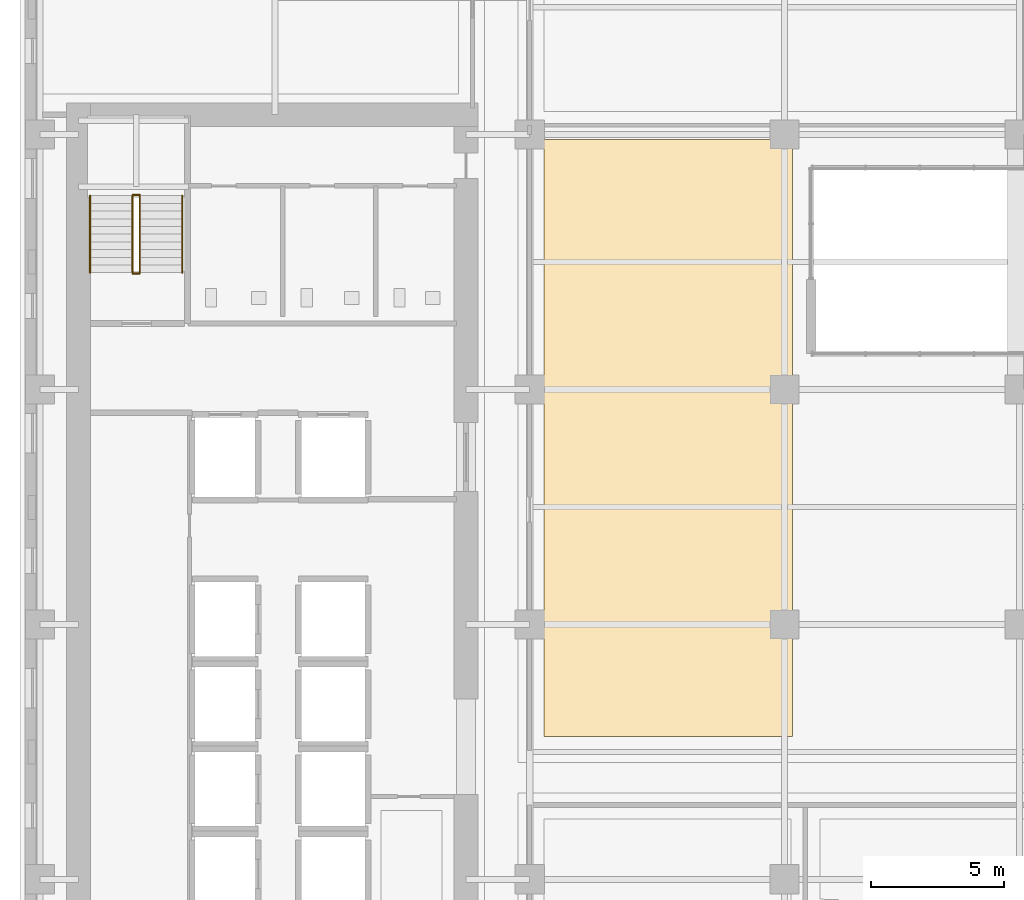
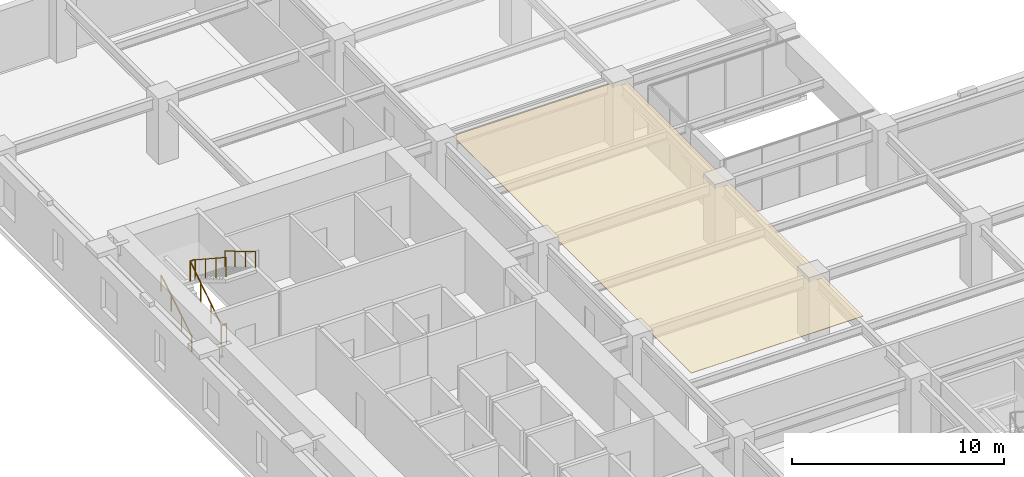
# One storey, part 12 of 14: 6 railings, 1 covering.
"""IFC4 building model written with IfcOpenShell, lengths in metres."""

import ifcopenshell
import ifcopenshell.guid

model = None  # the IFC model being written
_history = None  # IfcOwnerHistory: only IFC2X3 demands one
_inside = {}  # id of a spatial element -> (the spatial element, [elements in it])
_under = {}  # id of a project, library or spatial element -> (it, [spatial elements below it])
_declared = {}  # id of a project -> (the project, [libraries it declares])
_typed = {}  # id of a type object -> (the type object, [elements of that type])
_made_of = {}  # id of a material, layer set ... -> (it, [elements and type objects made of it])


def new_model(schema):
    """Start an empty IFC model of exactly this schema.

    Asked for "IFC4X3", IfcOpenShell would pick the latest addendum, in which some entities
    have other attributes; the version numbers below select the first issue.
    IFC2X3 requires an IfcOwnerHistory on every rooted entity: one is made here for all.
    """
    global model, _history
    if schema == "IFC4X3":
        model = ifcopenshell.file(schema_version=(4, 3, 0, 0))
    else:
        model = ifcopenshell.file(schema=schema)
    _inside.clear()
    _under.clear()
    _declared.clear()
    _typed.clear()
    _made_of.clear()
    _history = None
    if model.schema == "IFC2X3":
        org = make("IfcOrganization", Name="unknown")
        user = make(
            "IfcPersonAndOrganization",
            ThePerson=make("IfcPerson", FamilyName="unknown"),
            TheOrganization=org,
        )
        app = make(
            "IfcApplication",
            ApplicationDeveloper=org,
            Version="unknown",
            ApplicationFullName="unknown",
            ApplicationIdentifier="unknown",
        )
        _history = make(
            "IfcOwnerHistory",
            OwningUser=user,
            OwningApplication=app,
            ChangeAction="ADDED",
            CreationDate=0,
        )
    return model


def make(cls, **values):
    """One entity of the class cls with the attributes given. An attribute that is None is left unset."""
    return model.create_entity(
        cls, **{name: value for name, value in values.items() if value is not None}
    )


def rooted(cls, **values):
    """An entity with a GlobalId (a new one), such as an element, a storey or a relation."""
    return make(cls, GlobalId=ifcopenshell.guid.new(), OwnerHistory=_history, **values)


def si_unit(unit_type, name, prefix=None):
    """IfcSIUnit, for example si_unit("LENGTHUNIT", "METRE", prefix="MILLI")."""
    return make("IfcSIUnit", UnitType=unit_type, Prefix=prefix, Name=name)


def assignment(units):
    """IfcUnitAssignment: the units of a project."""
    return None if units is None else make("IfcUnitAssignment", Units=units)


def point(xyz):
    """IfcCartesianPoint."""
    return None if xyz is None else make("IfcCartesianPoint", Coordinates=xyz)


def direction(xyz):
    """IfcDirection."""
    return None if xyz is None else make("IfcDirection", DirectionRatios=xyz)


def frame(location, z_axis=None, x_axis=None):
    """IfcAxis2Placement3D, a coordinate frame: its origin and axes. An axis left out is left unset."""
    return make(
        "IfcAxis2Placement3D",
        Location=point(location),
        Axis=direction(z_axis),
        RefDirection=direction(x_axis),
    )


def frame_2d(location, x_axis=None):
    """IfcAxis2Placement2D, a coordinate frame in the plane: its origin and x axis."""
    return make(
        "IfcAxis2Placement2D", Location=point(location), RefDirection=direction(x_axis)
    )


def origin():
    """The frame at (0, 0, 0) with its axes left unset."""
    return frame((0.0, 0.0, 0.0))


def origin_2d():
    """The frame at (0, 0) in the plane with its x axis left unset."""
    return frame_2d((0.0, 0.0))


def place(relative_to, where):
    """IfcLocalPlacement: puts the frame where relative to a parent placement (None: the world)."""
    return make(
        "IfcLocalPlacement", PlacementRelTo=relative_to, RelativePlacement=where
    )


def context(
    kind, dimensions, precision=None, world=None, true_north=None, identifier=None
):
    """IfcGeometricRepresentationContext, for example the 3D "Model" context."""
    return make(
        "IfcGeometricRepresentationContext",
        ContextIdentifier=identifier,
        ContextType=kind,
        CoordinateSpaceDimension=dimensions,
        Precision=precision,
        WorldCoordinateSystem=world,
        TrueNorth=true_north,
    )


def subcontext(parent, identifier, kind, view, scale=None):
    """IfcGeometricRepresentationSubContext, for example "Body" below "Model"."""
    return make(
        "IfcGeometricRepresentationSubContext",
        ContextIdentifier=identifier,
        ContextType=kind,
        ParentContext=parent,
        TargetScale=scale,
        TargetView=view,
    )


def project(units=None, contexts=None):
    """IfcProject with its units and contexts."""
    return rooted(
        "IfcProject",
        Name="project",
        RepresentationContexts=contexts,
        UnitsInContext=assignment(units),
    )


def spatial(cls, under=None, at=None, **own):
    """A site, building, storey or space (cls), placed at a placement, below another one or the project."""
    s = rooted(cls, ObjectPlacement=at, **own)
    if under is not None:
        _under.setdefault(under.id(), (under, []))[1].append(s)
    return s


def polyline(points):
    """IfcPolyline through the points."""
    return make("IfcPolyline", Points=[point(p) for p in points])


def profile(cls, at=None, kind="AREA", **sizes):
    """A parametric profile (cls). Its sizes go by their IFC names, for example OverallWidth=200.0."""
    return make(cls, ProfileType=kind, Position=at, **sizes)


def circle(**sizes):
    """IfcCircleProfileDef."""
    return profile("IfcCircleProfileDef", **sizes)


def outline(outer, holes=None, kind="AREA"):
    """IfcArbitraryClosedProfileDef: a profile drawn as a closed curve; with holes, ...WithVoids."""
    if holes is None:
        return make("IfcArbitraryClosedProfileDef", ProfileType=kind, OuterCurve=outer)
    return make(
        "IfcArbitraryProfileDefWithVoids",
        ProfileType=kind,
        OuterCurve=outer,
        InnerCurves=holes,
    )


def extrude(swept, where, along, depth):
    """IfcExtrudedAreaSolid: the profile swept, set in the frame where, extruded along a direction by depth."""
    return make(
        "IfcExtrudedAreaSolid",
        SweptArea=swept,
        Position=where,
        ExtrudedDirection=direction(along),
        Depth=depth,
    )


def shape(context_of_items, identifier, shape_type, items):
    """IfcShapeRepresentation: the items that make up one representation, for example the "Body"."""
    return make(
        "IfcShapeRepresentation",
        ContextOfItems=context_of_items,
        RepresentationIdentifier=identifier,
        RepresentationType=shape_type,
        Items=items,
    )


def material(Name=None, Category=None):
    """IfcMaterial."""
    return make("IfcMaterial", Name=Name, Category=Category)


def layer(
    of_material, thickness, ventilated=None, Name=None, Category=None, Priority=None
):
    """IfcMaterialLayer: one layer of a wall or slab, of a material (None: an air gap)."""
    return make(
        "IfcMaterialLayer",
        Material=of_material,
        LayerThickness=thickness,
        IsVentilated=ventilated,
        Name=Name,
        Category=Category,
        Priority=Priority,
    )


def layer_set(layers, Name=None):
    """IfcMaterialLayerSet."""
    return make("IfcMaterialLayerSet", MaterialLayers=layers, LayerSetName=Name)


def made_of(thing, what):
    """Note that an element or type object is made of a material, layer set ...; save() writes the relation."""
    if what is not None:
        _made_of.setdefault(what.id(), (what, []))[1].append(thing)
    return thing


def type_object(cls, material=None, **own):
    """A type object (cls), such as IfcWallType, which elements share."""
    return made_of(rooted(cls, **own), material)


def element(
    cls,
    number,
    at=None,
    inside=None,
    cuts=None,
    type_object=None,
    material=None,
    context=None,
    identifier="Body",
    shape_type=None,
    held_by="IfcProductDefinitionShape",
    body=None,
    shapes=None,
    **own,
):
    """One element of the class cls, such as IfcWall. Its Tag is "e" and its number.

    at: its placement. inside: the storey or other place that contains it. cuts: it is an
    opening in that element (IfcRelVoidsElement). A single representation is given by context,
    identifier, shape_type and body (its items); several are given by shapes. held_by: the class
    of the entity that holds the representations. save() writes the other relations.
    """
    e = rooted(cls, Tag="e%d" % number, ObjectPlacement=at, **own)
    if body is not None:
        shapes = [shape(context, identifier, shape_type, body)]
    if shapes is not None:
        e.Representation = make(held_by, Representations=shapes)
    if inside is not None:
        _inside.setdefault(inside.id(), (inside, []))[1].append(e)
    if cuts is not None:
        rooted(
            "IfcRelVoidsElement", RelatingBuildingElement=cuts, RelatedOpeningElement=e
        )
    if type_object is not None:
        _typed.setdefault(type_object.id(), (type_object, []))[1].append(e)
    return made_of(e, material)


def aggregate(whole, parts):
    """IfcRelAggregates: a whole, such as a stair, and the parts it consists of."""
    return rooted("IfcRelAggregates", RelatingObject=whole, RelatedObjects=parts)


def save(model, path):
    """Write the relations noted so far, then the file.

    IfcRelAggregates (storeys below a building ...), IfcRelContainedInSpatialStructure (elements
    in a storey), IfcRelDefinesByType, IfcRelAssociatesMaterial and IfcRelDeclares: one each for
    every whole, place, type object, material and project.
    """
    for whole, parts in _under.values():
        aggregate(whole, parts)
    for where, things in _inside.values():
        rooted(
            "IfcRelContainedInSpatialStructure",
            RelatedElements=things,
            RelatingStructure=where,
        )
    for kind, things in _typed.values():
        rooted("IfcRelDefinesByType", RelatedObjects=things, RelatingType=kind)
    for what, things in _made_of.values():
        rooted("IfcRelAssociatesMaterial", RelatedObjects=things, RelatingMaterial=what)
    for by, libraries in _declared.values():
        rooted("IfcRelDeclares", RelatingContext=by, RelatedDefinitions=libraries)
    model.write(path)


model = new_model("IFC4")

# Units and contexts
model_context = context("Model", 3, precision=1e-05, world=origin(), true_north=direction((0.0, 1.0)))
body_context = subcontext(model_context, "Body", "Model", "MODEL_VIEW")
ifc_project = project(units=[si_unit("LENGTHUNIT", "METRE"), si_unit("AREAUNIT", "SQUARE_METRE"), si_unit("VOLUMEUNIT", "CUBIC_METRE"), si_unit("PLANEANGLEUNIT", "RADIAN"), si_unit("MASSUNIT", "GRAM", prefix="KILO")], contexts=[model_context])

# Site, building, storey
site_placement = place(None, origin())
site = spatial("IfcSite", under=ifc_project, at=site_placement, CompositionType="ELEMENT")
building_placement = place(site_placement, origin())
building = spatial("IfcBuilding", under=site, at=building_placement, Name="Norrvale University Quadrangle", CompositionType="ELEMENT")
storey_placement = place(building_placement, frame((0.0, 0.0, 62.199951171875)))
storey = spatial("IfcBuildingStorey", under=building, at=storey_placement, Name="L15", CompositionType="ELEMENT", Elevation=62.199951171875)

# Covering
ifc_material_1 = material(Name="Perforated Acoustic Mineral Ceiling")
ifc_layer = layer(ifc_material_1, 0.02490234375, Name="Perforated Acoustic Mineral Ceiling")
ifc_layer_set = layer_set([ifc_layer], Name="Perforated Acoustic Mineral Ceiling")
covering_type = type_object("IfcCoveringType", Name="Covering Acoustic Ceiling 25", PredefinedType="CEILING", material=ifc_layer_set)
covering_placement = place(storey_placement, frame((0.0, 0.0, 3.51513671875)))
element("IfcCovering", 1, at=covering_placement, inside=storey, type_object=covering_type, Name="Acoustic Ceiling RM-L15-MNE01", PredefinedType="CEILING", context=body_context, shape_type="SweptSolid", body=[
    extrude(outline(polyline([(19.72998046875, 47.070068359375), (29.090087890625, 47.070068359375), (29.090087890625, 24.580078125), (19.72998046875, 24.580078125), (19.72998046875, 47.070068359375)])), origin(), (0.0, 0.0, 1.0), 0.02490234375),
])

# Railings
ifc_material_2 = material(Name="Steel 350W Painted Balustrade", Category="steel")
railing_type_1 = type_object("IfcRailingType", Name="Railing Stair Guard 1100", PredefinedType="GUARDRAIL", material=ifc_material_2)
for number, where, name in (
    (2, (4.239990234375, 42.02001953125, 0.0), "Stair Floor Well Guard ST-02 L15"),
    (3, (4.239990234375, 44.97998046875, 1.900146484375), "Stair Mid-Landing Slot Guard ST-02 L15"),
):
    element("IfcRailing", number, at=place(storey_placement, frame(where)), inside=storey, type_object=railing_type_1, Name=name, PredefinedType="GUARDRAIL", context=body_context, shape_type="SweptSolid", body=[
        extrude(circle(Radius=0.02392578125, at=origin_2d()), frame((0.0, 0.0, 1.1259765625), z_axis=(1.0, 0.0, 0.0), x_axis=(0.0, 1.0, 0.0)), (0.0, 0.0, 1.0), 0.27001953125),
        extrude(circle(Radius=0.02099609375, at=origin_2d()), origin(), (0.0, 0.0, 1.0), 1.101806640625),
        extrude(circle(Radius=0.02099609375, at=origin_2d()), frame((0.27001953125, 0.0, 0.0)), (0.0, 0.0, 1.0), 1.101806640625),
    ])
railing_1_placement = place(storey_placement, frame((4.239990234375, 42.050048828125, 0.0)))
element("IfcRailing", 4, at=railing_1_placement, inside=storey, type_object=railing_type_1, Name="Stair Lower Flight Inner Guard ST-02 L15", PredefinedType="GUARDRAIL", context=body_context, shape_type="SweptSolid", body=[
    extrude(circle(Radius=0.02392578125, at=origin_2d()), frame((0.0, 0.0, 1.1259765625), z_axis=(0.0, 0.836433300813, 0.548068730445), x_axis=(-1.0, 0.0, 0.0)), (0.0, 0.0, 1.0), 3.467041015625),
    extrude(circle(Radius=0.02099609375, at=origin_2d()), origin(), (0.0, 0.0, 1.0), 1.101806640625),
    extrude(circle(Radius=0.02099609375, at=origin_2d()), frame((0.0, 0.966552734375, 0.63330078125)), (0.0, 0.0, 1.0), 1.101806640625),
    extrude(circle(Radius=0.02099609375, at=origin_2d()), frame((0.0, 1.933349609375, 1.266845703125)), (0.0, 0.0, 1.0), 1.101806640625),
    extrude(circle(Radius=0.02099609375, at=origin_2d()), frame((0.0, 2.89990234375, 1.900146484375)), (0.0, 0.0, 1.0), 1.101806640625),
])
railing_2_placement = place(storey_placement, frame((4.510009765625, 44.949951171875, 1.900146484375)))
element("IfcRailing", 5, at=railing_2_placement, inside=storey, type_object=railing_type_1, Name="Stair Upper Flight Inner Guard ST-02 L15", PredefinedType="GUARDRAIL", context=body_context, shape_type="SweptSolid", body=[
    extrude(circle(Radius=0.02392578125, at=origin_2d()), frame((0.0, 0.0, 1.1259765625), z_axis=(0.0, -0.836465582154, 0.548019461216), x_axis=(1.0, 0.0, 0.0)), (0.0, 0.0, 1.0), 3.466796875),
    extrude(circle(Radius=0.02099609375, at=origin_2d()), origin(), (0.0, 0.0, 1.0), 1.101806640625),
    extrude(circle(Radius=0.02099609375, at=origin_2d()), frame((0.0, -0.966552734375, 0.63330078125)), (0.0, 0.0, 1.0), 1.101806640625),
    extrude(circle(Radius=0.02099609375, at=origin_2d()), frame((0.0, -1.933349609375, 1.2666015625)), (0.0, 0.0, 1.0), 1.101806640625),
    extrude(circle(Radius=0.02099609375, at=origin_2d()), frame((0.0, -2.89990234375, 1.89990234375)), (0.0, 0.0, 1.0), 1.101806640625),
])
ifc_material_3 = material(Name="Stainless Steel 316L Handrail", Category="steel")
railing_type_2 = type_object("IfcRailingType", Name="Railing Stair Handrail 920", PredefinedType="HANDRAIL", material=ifc_material_3)
railing_3_placement = place(storey_placement, frame((2.639892578125, 42.050048828125, 0.1728515625)))
element("IfcRailing", 6, at=railing_3_placement, inside=storey, type_object=railing_type_2, Name="Stair Lower Flight Handrail ST-02 L15", PredefinedType="HANDRAIL", context=body_context, shape_type="SweptSolid", body=[
    extrude(circle(Radius=0.02392578125, at=origin_2d()), frame((0.0, 0.0, 0.89599609375), z_axis=(0.0, 0.859141464434, 0.511738159696), x_axis=(-1.0, 0.0, 0.0)), (0.0, 0.0, 1.0), 3.375244140625),
    extrude(circle(Radius=0.02099609375, at=origin_2d()), origin(), (0.0, 0.0, 1.0), 0.871826171875),
    extrude(circle(Radius=0.02099609375, at=origin_2d()), frame((0.0, 0.966552734375, 0.57568359375)), (0.0, 0.0, 1.0), 0.871826171875),
    extrude(circle(Radius=0.02099609375, at=origin_2d()), frame((0.0, 1.933349609375, 1.151611328125)), (0.0, 0.0, 1.0), 0.871826171875),
    extrude(circle(Radius=0.02099609375, at=origin_2d()), frame((0.0, 2.89990234375, 1.727294921875)), (0.0, 0.0, 1.0), 0.871826171875),
])
railing_4_placement = place(storey_placement, frame((6.110107421875, 44.949951171875, 2.07275390625)))
element("IfcRailing", 7, at=railing_4_placement, inside=storey, type_object=railing_type_2, Name="Stair Upper Flight Handrail ST-02 L15", PredefinedType="HANDRAIL", context=body_context, shape_type="SweptSolid", body=[
    extrude(circle(Radius=0.02392578125, at=origin_2d()), frame((0.0, 0.0, 0.89599609375), z_axis=(0.0, -0.859141464434, 0.511738159696), x_axis=(1.0, 0.0, 0.0)), (0.0, 0.0, 1.0), 3.375244140625),
    extrude(circle(Radius=0.02099609375, at=origin_2d()), origin(), (0.0, 0.0, 1.0), 0.871826171875),
    extrude(circle(Radius=0.02099609375, at=origin_2d()), frame((0.0, -0.966552734375, 0.57568359375)), (0.0, 0.0, 1.0), 0.871826171875),
    extrude(circle(Radius=0.02099609375, at=origin_2d()), frame((0.0, -1.933349609375, 1.151611328125)), (0.0, 0.0, 1.0), 0.871826171875),
    extrude(circle(Radius=0.02099609375, at=origin_2d()), frame((0.0, -2.89990234375, 1.727294921875)), (0.0, 0.0, 1.0), 0.871826171875),
])

save(model, "model.ifc")
